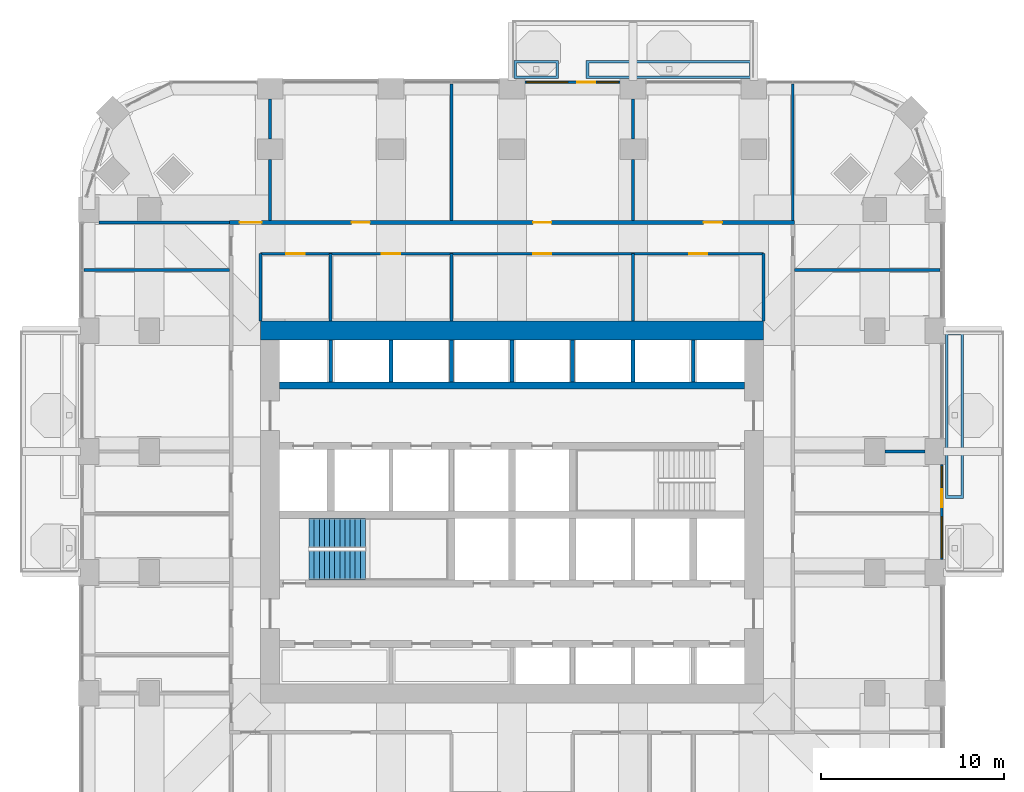
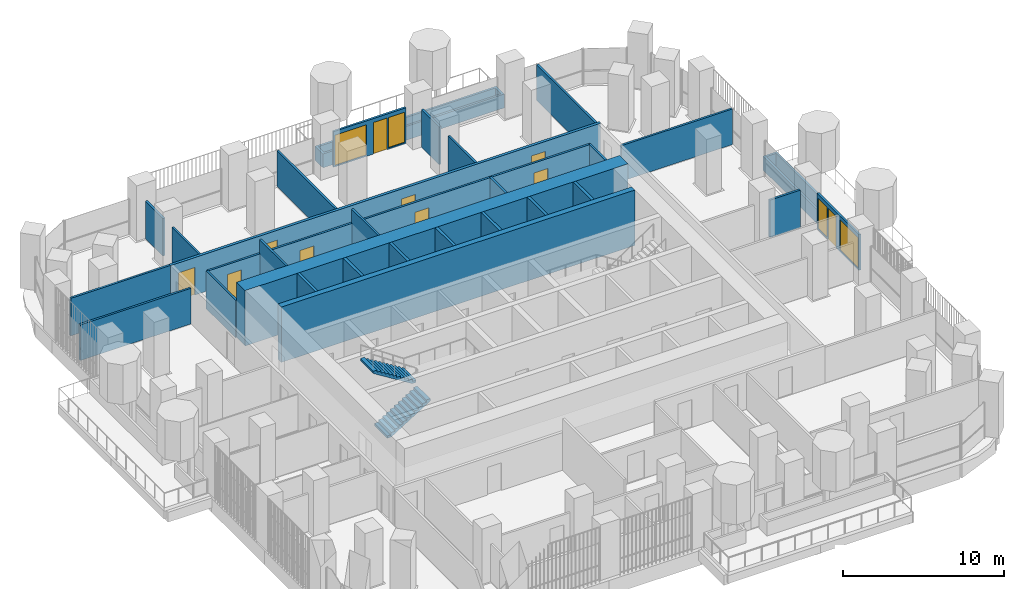
# One storey, part 17 of 23: 31 walls, 10 doors, 4 windows, 2 stair flights, 14 openings, 1 element without a shape of its own.
"""IFC4 building model written with IfcOpenShell, lengths in metres."""

from ifc_helpers import new_model, si_unit, direction, frame, frame_2d, origin, place, context, subcontext, project, spatial, polyline, rectangle, outline, extrude, material, layer, layer_set, type_object, element, fill, aggregate, save


model = new_model("IFC4")

# Units and contexts
model_context = context("Model", 3, precision=1e-05, world=origin(), true_north=direction((0.0, 1.0)))
body_context = subcontext(model_context, "Body", "Model", "MODEL_VIEW")
ifc_project = project(units=[si_unit("LENGTHUNIT", "METRE"), si_unit("AREAUNIT", "SQUARE_METRE"), si_unit("VOLUMEUNIT", "CUBIC_METRE"), si_unit("PLANEANGLEUNIT", "RADIAN"), si_unit("MASSUNIT", "GRAM", prefix="KILO")], contexts=[model_context])

# Site, building, storey
site_placement = place(None, origin())
site = spatial("IfcSite", under=ifc_project, at=site_placement, CompositionType="ELEMENT")
building_placement = place(site_placement, origin())
building = spatial("IfcBuilding", under=site, at=building_placement, Name="Cobogo Forest Laboratory Tower", CompositionType="ELEMENT")
storey_placement = place(building_placement, frame((0.0, 0.0, 128.39990234375)))
storey = spatial("IfcBuildingStorey", under=building, at=storey_placement, Name="L29", CompositionType="ELEMENT", Elevation=128.39990234375)

# Walls
ifc_material_1 = material(Name="Concrete HA-50 (C50/60)", Category="concrete")
ifc_layer_1 = layer(ifc_material_1, 0.39990234375)
ifc_layer_set_1 = layer_set([ifc_layer_1], Name="CI400 core inner wall 400")
wall_type_1 = type_object("IfcWallType", Name="CI400 core inner wall 400", PredefinedType="SHEAR", material=ifc_layer_set_1)
wall_1_placement = place(storey_placement, frame((13.72509765625, 30.0, 0.0), z_axis=(0.0, 0.0, 1.0), x_axis=(1.0, 0.0, 0.0)))
element("IfcWall", 1, at=wall_1_placement, inside=storey, type_object=wall_type_1, Name="Core wall CI-30.0 L29", PredefinedType="SHEAR", context=body_context, shape_type="SweptSolid", body=[
    extrude(rectangle(XDim=25.349853515625, YDim=0.39990234375, at=frame_2d((12.6748046875, 0.0))), origin(), (0.0, 0.0, 1.0), 4.2001953125),
])
ifc_layer_2 = layer(ifc_material_1, 1.050048828125)
ifc_layer_set_2 = layer_set([ifc_layer_2], Name="CW1050 core outer wall 1050")
wall_type_2 = type_object("IfcWallType", Name="CW1050 core outer wall 1050", PredefinedType="SHEAR", material=ifc_layer_set_2)
wall_2_placement = place(storey_placement, frame((40.125, 33.0, 0.0), z_axis=(0.0, 0.0, 1.0), x_axis=(-1.0, 0.0, 0.0)))
element("IfcWall", 2, at=wall_2_placement, inside=storey, type_object=wall_type_2, Name="Core wall CO-N L29", PredefinedType="SHEAR", context=body_context, shape_type="SweptSolid", body=[
    extrude(rectangle(XDim=27.449951171875, YDim=1.050048828125, at=frame_2d((13.72509765625, 0.0))), origin(), (0.0, 0.0, 1.0), 4.2001953125),
])

# Wall, openings, door, windows
ifc_material_2 = material(Name="Aluminium framed glazed screen", Category="aluminium")
ifc_layer_3 = layer(ifc_material_2, 0.14990234375)
ifc_layer_set_3 = layer_set([ifc_layer_3], Name="GS1 glazed door screen 150")
wall_type_3 = type_object("IfcWallType", Name="GS1 glazed door screen 150", PredefinedType="SOLIDWALL", material=ifc_layer_set_3)
wall_3_placement = place(storey_placement, frame((49.85009765625, 20.5, 0.0), z_axis=(0.0, 0.0, 1.0), x_axis=(0.0, 1.0, 0.0)))
wall_3 = element("IfcWall", 3, at=wall_3_placement, inside=storey, type_object=wall_type_3, Name="Door screen BAL-E1 L29", PredefinedType="SOLIDWALL", context=body_context, shape_type="SweptSolid", body=[
    extrude(rectangle(XDim=5.199951171875, YDim=0.14990234375, at=frame_2d((2.60009765625, 0.0))), origin(), (0.0, 0.0, 1.0), 2.7001953125),
])
opening_1_placement = place(wall_3_placement, frame((2.85009765625, 0.0, 0.0)))
opening_1 = element("IfcOpeningElement", 4, at=opening_1_placement, cuts=wall_3, Name="Opening L29-D27", PredefinedType="OPENING", context=body_context, shape_type="SweptSolid", body=[
    extrude(rectangle(XDim=1.0, YDim=2.39990234375, at=frame_2d((0.5, 1.199951171875))), frame((0.0, 0.0849609375, 0.0), z_axis=(0.0, -1.0, 0.0), x_axis=(1.0, 0.0, 0.0)), (0.0, 0.0, 1.0), 0.169921875),
])
opening_2_placement = place(wall_3_placement, frame((0.10009765625, 0.0, 0.10009765625)))
opening_2 = element("IfcOpeningElement", 5, at=opening_2_placement, cuts=wall_3, Name="Opening L29-W04", PredefinedType="OPENING", context=body_context, shape_type="SweptSolid", body=[
    extrude(rectangle(XDim=2.25, YDim=2.300048828125, at=frame_2d((1.125, 1.14990234375))), frame((0.0, 0.0849609375, 0.0), z_axis=(0.0, -1.0, 0.0), x_axis=(1.0, 0.0, 0.0)), (0.0, 0.0, 1.0), 0.169921875),
])
opening_3_placement = place(wall_3_placement, frame((3.949951171875, 0.0, 0.10009765625)))
opening_3 = element("IfcOpeningElement", 6, at=opening_3_placement, cuts=wall_3, Name="Opening L29-W06", PredefinedType="OPENING", context=body_context, shape_type="SweptSolid", body=[
    extrude(rectangle(XDim=1.14990234375, YDim=2.300048828125, at=frame_2d((0.574951171875, 1.14990234375))), frame((0.0, 0.0849609375, 0.0), z_axis=(0.0, -1.0, 0.0), x_axis=(1.0, 0.0, 0.0)), (0.0, 0.0, 1.0), 0.169921875),
])
ifc_material_3 = material(Name="Aluminium glazed door", Category="aluminium")
door_type_1 = type_object("IfcDoorType", Name="DB1 balcony door 1000 glazed", OperationType="SINGLE_SWING_LEFT", PredefinedType="DOOR", material=ifc_material_3)
door_1_placement = place(opening_1_placement, origin())
door_1 = element("IfcDoor", 7, at=door_1_placement, inside=storey, type_object=door_type_1, Name="Door L29-BAL-E1", OperationType="SINGLE_SWING_RIGHT", OverallHeight=2.39990234375, OverallWidth=1.0, PredefinedType="DOOR", context=body_context, shape_type="SweptSolid", body=[
    extrude(rectangle(XDim=1.0, YDim=2.39990234375, at=frame_2d((0.5, 1.199951171875))), frame((0.0, 0.02490234375, 0.0), z_axis=(0.0, -1.0, 0.0), x_axis=(1.0, 0.0, 0.0)), (0.0, 0.0, 1.0), 0.050048828125),
])
fill(opening_1, door_1)
ifc_material_4 = material(Name="Aluminium framed glazing", Category="aluminium")
window_type_1 = type_object("IfcWindowType", Name="WG15 fixed glazed light 2250x2300", PartitioningType="SINGLE_PANEL", PredefinedType="WINDOW", material=ifc_material_4)
window_1_placement = place(opening_2_placement, origin())
window_1 = element("IfcWindow", 8, at=window_1_placement, inside=storey, type_object=window_type_1, Name="Window L29-BAL-E1-1", OverallHeight=2.300048828125, OverallWidth=2.25, PartitioningType="SINGLE_PANEL", PredefinedType="WINDOW", context=body_context, shape_type="SweptSolid", body=[
    extrude(rectangle(XDim=2.25, YDim=2.300048828125, at=frame_2d((1.125, 1.14990234375))), frame((0.0, 0.030029296875, 0.0), z_axis=(0.0, -1.0, 0.0), x_axis=(1.0, 0.0, 0.0)), (0.0, 0.0, 1.0), 0.06005859375),
])
fill(opening_2, window_1)
window_type_2 = type_object("IfcWindowType", Name="WG16 fixed glazed light 1150x2300", PartitioningType="SINGLE_PANEL", PredefinedType="WINDOW", material=ifc_material_4)
window_2_placement = place(opening_3_placement, origin())
window_2 = element("IfcWindow", 9, at=window_2_placement, inside=storey, type_object=window_type_2, Name="Window L29-BAL-E1-2", OverallHeight=2.300048828125, OverallWidth=1.14990234375, PartitioningType="SINGLE_PANEL", PredefinedType="WINDOW", context=body_context, shape_type="SweptSolid", body=[
    extrude(rectangle(XDim=1.14990234375, YDim=2.300048828125, at=frame_2d((0.574951171875, 1.14990234375))), frame((0.0, 0.030029296875, 0.0), z_axis=(0.0, -1.0, 0.0), x_axis=(1.0, 0.0, 0.0)), (0.0, 0.0, 1.0), 0.06005859375),
])
fill(opening_3, window_2)

wall_4_placement = place(storey_placement, frame((32.300048828125, 46.550048828125, 0.0), z_axis=(0.0, 0.0, 1.0), x_axis=(-1.0, 0.0, 0.0)))
wall_4 = element("IfcWall", 10, at=wall_4_placement, inside=storey, type_object=wall_type_3, Name="Door screen BAL-N1 L29", PredefinedType="SOLIDWALL", context=body_context, shape_type="SweptSolid", body=[
    extrude(rectangle(XDim=5.199951171875, YDim=0.14990234375, at=frame_2d((2.60009765625, 0.0))), origin(), (0.0, 0.0, 1.0), 2.7001953125),
])
opening_4_placement = place(wall_4_placement, frame((1.35009765625, 0.0, 0.0)))
opening_4 = element("IfcOpeningElement", 11, at=opening_4_placement, cuts=wall_4, Name="Opening L29-D45", PredefinedType="OPENING", context=body_context, shape_type="SweptSolid", body=[
    extrude(rectangle(XDim=1.0, YDim=2.39990234375, at=frame_2d((0.5, 1.199951171875))), frame((0.0, 0.0849609375, 0.0), z_axis=(0.0, -1.0, 0.0), x_axis=(1.0, 0.0, 0.0)), (0.0, 0.0, 1.0), 0.169921875),
])
opening_5_placement = place(wall_4_placement, frame((0.10009765625, 0.0, 0.10009765625)))
opening_5 = element("IfcOpeningElement", 12, at=opening_5_placement, cuts=wall_4, Name="Opening L29-W08", PredefinedType="OPENING", context=body_context, shape_type="SweptSolid", body=[
    extrude(rectangle(XDim=1.14990234375, YDim=2.300048828125, at=frame_2d((0.574951171875, 1.14990234375))), frame((0.0, 0.0849609375, 0.0), z_axis=(0.0, -1.0, 0.0), x_axis=(1.0, 0.0, 0.0)), (0.0, 0.0, 1.0), 0.169921875),
])
opening_6_placement = place(wall_4_placement, frame((2.85009765625, 0.0, 0.10009765625)))
opening_6 = element("IfcOpeningElement", 13, at=opening_6_placement, cuts=wall_4, Name="Opening L29-W07", PredefinedType="OPENING", context=body_context, shape_type="SweptSolid", body=[
    extrude(rectangle(XDim=2.25, YDim=2.300048828125, at=frame_2d((1.125, 1.14990234375))), frame((0.0, 0.0849609375, 0.0), z_axis=(0.0, -1.0, 0.0), x_axis=(1.0, 0.0, 0.0)), (0.0, 0.0, 1.0), 0.169921875),
])
door_2_placement = place(opening_4_placement, origin())
door_2 = element("IfcDoor", 14, at=door_2_placement, inside=storey, type_object=door_type_1, Name="Door L29-BAL-N1", OperationType="SINGLE_SWING_LEFT", OverallHeight=2.39990234375, OverallWidth=1.0, PredefinedType="DOOR", context=body_context, shape_type="SweptSolid", body=[
    extrude(rectangle(XDim=1.0, YDim=2.39990234375, at=frame_2d((0.5, 1.199951171875))), frame((0.0, 0.02490234375, 0.0), z_axis=(0.0, -1.0, 0.0), x_axis=(1.0, 0.0, 0.0)), (0.0, 0.0, 1.0), 0.050048828125),
])
fill(opening_4, door_2)
window_3_placement = place(opening_6_placement, origin())
window_3 = element("IfcWindow", 15, at=window_3_placement, inside=storey, type_object=window_type_1, Name="Window L29-BAL-N1-2", OverallHeight=2.300048828125, OverallWidth=2.25, PartitioningType="SINGLE_PANEL", PredefinedType="WINDOW", context=body_context, shape_type="SweptSolid", body=[
    extrude(rectangle(XDim=2.25, YDim=2.300048828125, at=frame_2d((1.125, 1.14990234375))), frame((0.0, 0.030029296875, 0.0), z_axis=(0.0, -1.0, 0.0), x_axis=(1.0, 0.0, 0.0)), (0.0, 0.0, 1.0), 0.06005859375),
])
fill(opening_6, window_3)
window_4_placement = place(opening_5_placement, origin())
window_4 = element("IfcWindow", 16, at=window_4_placement, inside=storey, type_object=window_type_2, Name="Window L29-BAL-N1-1", OverallHeight=2.300048828125, OverallWidth=1.14990234375, PartitioningType="SINGLE_PANEL", PredefinedType="WINDOW", context=body_context, shape_type="SweptSolid", body=[
    extrude(rectangle(XDim=1.14990234375, YDim=2.300048828125, at=frame_2d((0.574951171875, 1.14990234375))), frame((0.0, 0.030029296875, 0.0), z_axis=(0.0, -1.0, 0.0), x_axis=(1.0, 0.0, 0.0)), (0.0, 0.0, 1.0), 0.06005859375),
])
fill(opening_5, window_4)

# Wall, openings, doors
ifc_material_5 = material(Name="Gypsum board on steel studs", Category="steel")
ifc_layer_4 = layer(ifc_material_5, 0.14990234375)
ifc_layer_set_4 = layer_set([ifc_layer_4], Name="PT1 laboratory partition 150")
wall_type_4 = type_object("IfcWallType", Name="PT1 laboratory partition 150", PredefinedType="PARTITIONING", material=ifc_layer_set_4)
wall_5_placement = place(storey_placement, frame((12.675048828125, 37.199951171875, 0.0), z_axis=(0.0, 0.0, 1.0), x_axis=(1.0, 0.0, 0.0)))
wall_5 = element("IfcWall", 17, at=wall_5_placement, inside=storey, type_object=wall_type_4, Name="Partition CSTRIP-N L29", PredefinedType="PARTITIONING", context=body_context, shape_type="SweptSolid", body=[
    extrude(rectangle(XDim=27.449951171875, YDim=0.14990234375, at=frame_2d((13.72509765625, 0.0))), origin(), (0.0, 0.0, 1.0), 2.85009765625),
])
opening_7_placement = place(wall_5_placement, frame((1.41259765625, 0.0, 0.0)))
opening_7 = element("IfcOpeningElement", 18, at=opening_7_placement, cuts=wall_5, Name="Opening L29-D35", PredefinedType="OPENING", context=body_context, shape_type="SweptSolid", body=[
    extrude(rectangle(XDim=1.0, YDim=2.10009765625, at=frame_2d((0.5, 1.050048828125))), frame((0.0, 0.0849609375, 0.0), z_axis=(0.0, -1.0, 0.0), x_axis=(1.0, 0.0, 0.0)), (0.0, 0.0, 1.0), 0.169921875),
])
opening_8_placement = place(wall_5_placement, frame((6.625, 0.0, 0.0)))
opening_8 = element("IfcOpeningElement", 19, at=opening_8_placement, cuts=wall_5, Name="Opening L29-D36", PredefinedType="OPENING", context=body_context, shape_type="SweptSolid", body=[
    extrude(rectangle(XDim=1.0, YDim=2.10009765625, at=frame_2d((0.5, 1.050048828125))), frame((0.0, 0.0849609375, 0.0), z_axis=(0.0, -1.0, 0.0), x_axis=(1.0, 0.0, 0.0)), (0.0, 0.0, 1.0), 0.169921875),
])
opening_9_placement = place(wall_5_placement, frame((14.875, 0.0, 0.0)))
opening_9 = element("IfcOpeningElement", 20, at=opening_9_placement, cuts=wall_5, Name="Opening L29-D37", PredefinedType="OPENING", context=body_context, shape_type="SweptSolid", body=[
    extrude(rectangle(XDim=1.0, YDim=2.10009765625, at=frame_2d((0.5, 1.050048828125))), frame((0.0, 0.0849609375, 0.0), z_axis=(0.0, -1.0, 0.0), x_axis=(1.0, 0.0, 0.0)), (0.0, 0.0, 1.0), 0.169921875),
])
opening_10_placement = place(wall_5_placement, frame((23.387451171875, 0.0, 0.0)))
opening_10 = element("IfcOpeningElement", 21, at=opening_10_placement, cuts=wall_5, Name="Opening L29-D38", PredefinedType="OPENING", context=body_context, shape_type="SweptSolid", body=[
    extrude(rectangle(XDim=1.0, YDim=2.10009765625, at=frame_2d((0.5, 1.050048828125))), frame((0.0, 0.0849609375, 0.0), z_axis=(0.0, -1.0, 0.0), x_axis=(1.0, 0.0, 0.0)), (0.0, 0.0, 1.0), 0.169921875),
])
ifc_material_6 = material(Name="Timber fire door", Category="wood")
door_type_2 = type_object("IfcDoorType", Name="FD2 fire door 1000 EI2 30", OperationType="SINGLE_SWING_LEFT", PredefinedType="DOOR", material=ifc_material_6)
door_3_placement = place(opening_7_placement, origin())
door_3 = element("IfcDoor", 22, at=door_3_placement, inside=storey, type_object=door_type_2, Name="Door L29-CSN1", OperationType="SINGLE_SWING_LEFT", OverallHeight=2.10009765625, OverallWidth=1.0, PredefinedType="DOOR", context=body_context, shape_type="SweptSolid", body=[
    extrude(rectangle(XDim=1.0, YDim=2.10009765625, at=frame_2d((0.5, 1.050048828125))), frame((0.0, 0.02490234375, 0.0), z_axis=(0.0, -1.0, 0.0), x_axis=(1.0, 0.0, 0.0)), (0.0, 0.0, 1.0), 0.050048828125),
])
fill(opening_7, door_3)
door_4_placement = place(opening_8_placement, origin())
door_4 = element("IfcDoor", 23, at=door_4_placement, inside=storey, type_object=door_type_2, Name="Door L29-CSN2", OperationType="SINGLE_SWING_LEFT", OverallHeight=2.10009765625, OverallWidth=1.0, PredefinedType="DOOR", context=body_context, shape_type="SweptSolid", body=[
    extrude(rectangle(XDim=1.0, YDim=2.10009765625, at=frame_2d((0.5, 1.050048828125))), frame((0.0, 0.02490234375, 0.0), z_axis=(0.0, -1.0, 0.0), x_axis=(1.0, 0.0, 0.0)), (0.0, 0.0, 1.0), 0.050048828125),
])
fill(opening_8, door_4)
door_5_placement = place(opening_9_placement, origin())
door_5 = element("IfcDoor", 24, at=door_5_placement, inside=storey, type_object=door_type_2, Name="Door L29-CSN3", OperationType="SINGLE_SWING_RIGHT", OverallHeight=2.10009765625, OverallWidth=1.0, PredefinedType="DOOR", context=body_context, shape_type="SweptSolid", body=[
    extrude(rectangle(XDim=1.0, YDim=2.10009765625, at=frame_2d((0.5, 1.050048828125))), frame((0.0, 0.02490234375, 0.0), z_axis=(0.0, -1.0, 0.0), x_axis=(1.0, 0.0, 0.0)), (0.0, 0.0, 1.0), 0.050048828125),
])
fill(opening_9, door_5)
door_6_placement = place(opening_10_placement, origin())
door_6 = element("IfcDoor", 25, at=door_6_placement, inside=storey, type_object=door_type_2, Name="Door L29-CSN4", OperationType="SINGLE_SWING_RIGHT", OverallHeight=2.10009765625, OverallWidth=1.0, PredefinedType="DOOR", context=body_context, shape_type="SweptSolid", body=[
    extrude(rectangle(XDim=1.0, YDim=2.10009765625, at=frame_2d((0.5, 1.050048828125))), frame((0.0, 0.02490234375, 0.0), z_axis=(0.0, -1.0, 0.0), x_axis=(1.0, 0.0, 0.0)), (0.0, 0.0, 1.0), 0.050048828125),
])
fill(opening_10, door_6)

# Walls
for number, where, z_axis, x_axis, name in (
    (26, (12.675048828125, 33.52490234375, 0.0), (0.0, 0.0, 1.0), (0.0, 1.0, 0.0), "Partition CSTRIP-NW L29"),
    (27, (40.125, 33.52490234375, 0.0), (0.0, 0.0, 1.0), (0.0, 1.0, 0.0), "Partition CSTRIP-NE L29"),
):
    element("IfcWall", number, at=place(storey_placement, frame(where, z_axis=z_axis, x_axis=x_axis)), inside=storey, type_object=wall_type_4, Name=name, PredefinedType="PARTITIONING", context=body_context, shape_type="SweptSolid", body=[
        extrude(rectangle(XDim=3.675048828125, YDim=0.14990234375, at=frame_2d((1.83740234375, 0.0))), origin(), (0.0, 0.0, 1.0), 2.85009765625),
    ])
for number, where, z_axis, x_axis, name in (
    (28, (16.5, 33.52490234375, 0.0), (0.0, 0.0, 1.0), (0.0, 1.0, 0.0), "Partition CSTRIP-N16.5 L29"),
    (29, (23.10009765625, 33.52490234375, 0.0), (0.0, 0.0, 1.0), (0.0, 1.0, 0.0), "Partition CSTRIP-N23.1 L29"),
):
    element("IfcWall", number, at=place(storey_placement, frame(where, z_axis=z_axis, x_axis=x_axis)), inside=storey, type_object=wall_type_4, Name=name, PredefinedType="PARTITIONING", context=body_context, shape_type="SweptSolid", body=[
        extrude(rectangle(XDim=3.675048828125, YDim=0.14990234375, at=frame_2d((1.83740234375, 0.0))), origin(), (0.0, 0.0, 1.0), 3.900146484375),
    ])
wall_6_placement = place(storey_placement, frame((33.0, 33.52490234375, 0.0), z_axis=(0.0, 0.0, 1.0), x_axis=(0.0, 1.0, 0.0)))
element("IfcWall", 30, at=wall_6_placement, inside=storey, type_object=wall_type_4, Name="Partition CSTRIP-N33 L29", PredefinedType="PARTITIONING", context=body_context, shape_type="SweptSolid", body=[
    extrude(rectangle(XDim=3.675048828125, YDim=0.14990234375, at=frame_2d((1.83740234375, 0.0))), origin(), (0.0, 0.0, 1.0), 2.85009765625),
])
wall_7_placement = place(storey_placement, frame((41.72509765625, 46.469970703125, 0.0), z_axis=(0.0, 0.0, 1.0), x_axis=(0.0, -1.0, 0.0)))
element("IfcWall", 31, at=wall_7_placement, inside=storey, type_object=wall_type_4, Name="Partition PW-NE L29", PredefinedType="PARTITIONING", context=body_context, shape_type="SweptSolid", body=[
    extrude(rectangle(XDim=7.469970703125, YDim=0.14990234375, at=frame_2d((3.73486328125, 0.0))), origin(), (0.0, 0.0, 1.0), 2.7001953125),
])
wall_8_placement = place(storey_placement, frame((3.85009765625, 38.89990234375, 0.0), z_axis=(0.0, 0.0, 1.0), x_axis=(1.0, 0.0, 0.0)))
element("IfcWall", 32, at=wall_8_placement, inside=storey, type_object=wall_type_4, Name="Partition PW-NW L29", PredefinedType="PARTITIONING", context=body_context, shape_type="SweptSolid", body=[
    extrude(rectangle(XDim=7.125, YDim=0.14990234375, at=frame_2d((3.5625, 0.0))), origin(), (0.0, 0.0, 1.0), 2.85009765625),
])
wall_9_placement = place(storey_placement, frame((48.949951171875, 26.39990234375, 0.0), z_axis=(0.0, 0.0, 1.0), x_axis=(-1.0, 0.0, 0.0)))
element("IfcWall", 33, at=wall_9_placement, inside=storey, type_object=wall_type_4, Name="Partition CUT-E26.4-1 L29", PredefinedType="PARTITIONING", context=body_context, shape_type="SweptSolid", body=[
    extrude(rectangle(XDim=2.199951171875, YDim=0.14990234375, at=frame_2d((1.10009765625, 0.0))), origin(), (0.0, 0.0, 1.0), 2.85009765625),
])
wall_10_placement = place(storey_placement, frame((49.77001953125, 36.300048828125, 0.0), z_axis=(0.0, 0.0, 1.0), x_axis=(-1.0, 0.0, 0.0)))
element("IfcWall", 34, at=wall_10_placement, inside=storey, type_object=wall_type_4, Name="Partition CUT-E36.3-1 L29", PredefinedType="PARTITIONING", context=body_context, shape_type="SweptSolid", body=[
    extrude(rectangle(XDim=7.945068359375, YDim=0.14990234375, at=frame_2d((3.97265625, 0.0))), origin(), (0.0, 0.0, 1.0), 2.7001953125),
])
wall_11_placement = place(storey_placement, frame((13.199951171875, 45.64990234375, 0.0), z_axis=(0.0, 0.0, 1.0), x_axis=(0.0, -1.0, 0.0)))
element("IfcWall", 35, at=wall_11_placement, inside=storey, type_object=wall_type_4, Name="Partition CUT-N13.2-1 L29", PredefinedType="PARTITIONING", context=body_context, shape_type="SweptSolid", body=[
    extrude(rectangle(XDim=2.199951171875, YDim=0.14990234375, at=frame_2d((1.10009765625, 0.0))), origin(), (0.0, 0.0, 1.0), 2.85009765625),
])
wall_12_placement = place(storey_placement, frame((13.199951171875, 42.35009765625, 0.0), z_axis=(0.0, 0.0, 1.0), x_axis=(0.0, -1.0, 0.0)))
element("IfcWall", 36, at=wall_12_placement, inside=storey, type_object=wall_type_4, Name="Partition CUT-N13.2-2 L29", PredefinedType="PARTITIONING", context=body_context, shape_type="SweptSolid", body=[
    extrude(rectangle(XDim=3.35009765625, YDim=0.14990234375, at=frame_2d((1.675048828125, 0.0))), origin(), (0.0, 0.0, 1.0), 2.85009765625),
])
wall_13_placement = place(storey_placement, frame((23.10009765625, 46.469970703125, 0.0), z_axis=(0.0, 0.0, 1.0), x_axis=(0.0, -1.0, 0.0)))
element("IfcWall", 37, at=wall_13_placement, inside=storey, type_object=wall_type_4, Name="Partition CUT-N23.1-1 L29", PredefinedType="PARTITIONING", context=body_context, shape_type="SweptSolid", body=[
    extrude(rectangle(XDim=7.469970703125, YDim=0.14990234375, at=frame_2d((3.73486328125, 0.0))), origin(), (0.0, 0.0, 1.0), 2.7001953125),
])
wall_14_placement = place(storey_placement, frame((33.0, 45.64990234375, 0.0), z_axis=(0.0, 0.0, 1.0), x_axis=(0.0, -1.0, 0.0)))
element("IfcWall", 38, at=wall_14_placement, inside=storey, type_object=wall_type_4, Name="Partition CUT-N33-1 L29", PredefinedType="PARTITIONING", context=body_context, shape_type="SweptSolid", body=[
    extrude(rectangle(XDim=2.199951171875, YDim=0.14990234375, at=frame_2d((1.10009765625, 0.0))), origin(), (0.0, 0.0, 1.0), 2.85009765625),
])
wall_15_placement = place(storey_placement, frame((33.0, 42.35009765625, 0.0), z_axis=(0.0, 0.0, 1.0), x_axis=(0.0, -1.0, 0.0)))
element("IfcWall", 39, at=wall_15_placement, inside=storey, type_object=wall_type_4, Name="Partition CUT-N33-2 L29", PredefinedType="PARTITIONING", context=body_context, shape_type="SweptSolid", body=[
    extrude(rectangle(XDim=3.35009765625, YDim=0.14990234375, at=frame_2d((1.675048828125, 0.0))), origin(), (0.0, 0.0, 1.0), 2.85009765625),
])
wall_16_placement = place(storey_placement, frame((3.030029296875, 36.300048828125, 0.0), z_axis=(0.0, 0.0, 1.0), x_axis=(1.0, 0.0, 0.0)))
element("IfcWall", 40, at=wall_16_placement, inside=storey, type_object=wall_type_4, Name="Partition CUT-W36.3-1 L29", PredefinedType="PARTITIONING", context=body_context, shape_type="SweptSolid", body=[
    extrude(rectangle(XDim=7.945068359375, YDim=0.14990234375, at=frame_2d((3.97265625, 0.0))), origin(), (0.0, 0.0, 1.0), 2.7001953125),
])

# Wall, openings, doors
ifc_layer_5 = layer(ifc_material_5, 0.199951171875)
ifc_layer_set_5 = layer_set([ifc_layer_5], Name="PT2 fire-rated corridor partition 200")
wall_type_5 = type_object("IfcWallType", Name="PT2 fire-rated corridor partition 200", PredefinedType="PARTITIONING", material=ifc_layer_set_5)
wall_17_placement = place(storey_placement, frame((10.97509765625, 38.89990234375, 0.0), z_axis=(0.0, 0.0, 1.0), x_axis=(1.0, 0.0, 0.0)))
wall_17 = element("IfcWall", 41, at=wall_17_placement, inside=storey, type_object=wall_type_5, Name="Partition CORR-N L29", PredefinedType="PARTITIONING", context=body_context, shape_type="SweptSolid", body=[
    extrude(rectangle(XDim=30.849853515625, YDim=0.199951171875, at=frame_2d((15.4248046875, 0.0))), origin(), (0.0, 0.0, 1.0), 2.85009765625),
])
opening_11_placement = place(wall_17_placement, frame((0.5625, 0.0, 0.0)))
opening_11 = element("IfcOpeningElement", 42, at=opening_11_placement, cuts=wall_17, Name="Opening L29-D41", PredefinedType="OPENING", context=body_context, shape_type="SweptSolid", body=[
    extrude(rectangle(XDim=1.199951171875, YDim=2.10009765625, at=frame_2d((0.60009765625, 1.050048828125))), frame((0.0, 0.10986328125, 0.0), z_axis=(0.0, -1.0, 0.0), x_axis=(1.0, 0.0, 0.0)), (0.0, 0.0, 1.0), 0.219970703125),
])
opening_12_placement = place(wall_17_placement, frame((6.675048828125, 0.0, 0.0)))
opening_12 = element("IfcOpeningElement", 43, at=opening_12_placement, cuts=wall_17, Name="Opening L29-D42", PredefinedType="OPENING", context=body_context, shape_type="SweptSolid", body=[
    extrude(rectangle(XDim=1.0, YDim=2.10009765625, at=frame_2d((0.5, 1.050048828125))), frame((0.0, 0.10986328125, 0.0), z_axis=(0.0, -1.0, 0.0), x_axis=(1.0, 0.0, 0.0)), (0.0, 0.0, 1.0), 0.219970703125),
])
opening_13_placement = place(wall_17_placement, frame((16.574951171875, 0.0, 0.0)))
opening_13 = element("IfcOpeningElement", 44, at=opening_13_placement, cuts=wall_17, Name="Opening L29-D43", PredefinedType="OPENING", context=body_context, shape_type="SweptSolid", body=[
    extrude(rectangle(XDim=1.0, YDim=2.10009765625, at=frame_2d((0.5, 1.050048828125))), frame((0.0, 0.10986328125, 0.0), z_axis=(0.0, -1.0, 0.0), x_axis=(1.0, 0.0, 0.0)), (0.0, 0.0, 1.0), 0.219970703125),
])
opening_14_placement = place(wall_17_placement, frame((25.887451171875, 0.0, 0.0)))
opening_14 = element("IfcOpeningElement", 45, at=opening_14_placement, cuts=wall_17, Name="Opening L29-D44", PredefinedType="OPENING", context=body_context, shape_type="SweptSolid", body=[
    extrude(rectangle(XDim=1.0, YDim=2.10009765625, at=frame_2d((0.5, 1.050048828125))), frame((0.0, 0.10986328125, 0.0), z_axis=(0.0, -1.0, 0.0), x_axis=(1.0, 0.0, 0.0)), (0.0, 0.0, 1.0), 0.219970703125),
])
ifc_material_7 = material(Name="Timber door", Category="wood")
door_type_3 = type_object("IfcDoorType", Name="D2 laboratory door 1200 unequal pair", OperationType="DOUBLE_DOOR_SINGLE_SWING", PredefinedType="DOOR", material=ifc_material_7)
door_7_placement = place(opening_11_placement, origin())
door_7 = element("IfcDoor", 46, at=door_7_placement, inside=storey, type_object=door_type_3, Name="Door L29-N1", OperationType="DOUBLE_DOOR_SINGLE_SWING", OverallHeight=2.10009765625, OverallWidth=1.199951171875, PredefinedType="DOOR", context=body_context, shape_type="SweptSolid", body=[
    extrude(rectangle(XDim=1.199951171875, YDim=2.10009765625, at=frame_2d((0.60009765625, 1.050048828125))), frame((0.0, 0.02490234375, 0.0), z_axis=(0.0, -1.0, 0.0), x_axis=(1.0, 0.0, 0.0)), (0.0, 0.0, 1.0), 0.050048828125),
])
fill(opening_11, door_7)
door_8_placement = place(opening_12_placement, origin())
door_8 = element("IfcDoor", 47, at=door_8_placement, inside=storey, type_object=door_type_2, Name="Door L29-N2", OperationType="SINGLE_SWING_LEFT", OverallHeight=2.10009765625, OverallWidth=1.0, PredefinedType="DOOR", context=body_context, shape_type="SweptSolid", body=[
    extrude(rectangle(XDim=1.0, YDim=2.10009765625, at=frame_2d((0.5, 1.050048828125))), frame((0.0, 0.02490234375, 0.0), z_axis=(0.0, -1.0, 0.0), x_axis=(1.0, 0.0, 0.0)), (0.0, 0.0, 1.0), 0.050048828125),
])
fill(opening_12, door_8)
door_9_placement = place(opening_13_placement, origin())
door_9 = element("IfcDoor", 48, at=door_9_placement, inside=storey, type_object=door_type_2, Name="Door L29-N3", OperationType="SINGLE_SWING_RIGHT", OverallHeight=2.10009765625, OverallWidth=1.0, PredefinedType="DOOR", context=body_context, shape_type="SweptSolid", body=[
    extrude(rectangle(XDim=1.0, YDim=2.10009765625, at=frame_2d((0.5, 1.050048828125))), frame((0.0, 0.02490234375, 0.0), z_axis=(0.0, -1.0, 0.0), x_axis=(1.0, 0.0, 0.0)), (0.0, 0.0, 1.0), 0.050048828125),
])
fill(opening_13, door_9)
door_10_placement = place(opening_14_placement, origin())
door_10 = element("IfcDoor", 49, at=door_10_placement, inside=storey, type_object=door_type_2, Name="Door L29-N4", OperationType="SINGLE_SWING_RIGHT", OverallHeight=2.10009765625, OverallWidth=1.0, PredefinedType="DOOR", context=body_context, shape_type="SweptSolid", body=[
    extrude(rectangle(XDim=1.0, YDim=2.10009765625, at=frame_2d((0.5, 1.050048828125))), frame((0.0, 0.02490234375, 0.0), z_axis=(0.0, -1.0, 0.0), x_axis=(1.0, 0.0, 0.0)), (0.0, 0.0, 1.0), 0.050048828125),
])
fill(opening_14, door_10)

# Walls
ifc_material_8 = material(Name="Concrete HA-40 (C40/50)", Category="concrete")
ifc_layer_6 = layer(ifc_material_8, 0.14990234375)
ifc_layer_set_6 = layer_set([ifc_layer_6], Name="Planter box 1000x1050")
wall_type_6 = type_object("IfcWallType", Name="Planter box 1000x1050", PredefinedType="USERDEFINED", material=ifc_layer_set_6)
wall_18_placement = place(storey_placement, origin())
element("IfcWall", 50, at=wall_18_placement, inside=storey, type_object=wall_type_6, Name="Planter BAL-E1-2 L29", ObjectType="PLANTER", PredefinedType="USERDEFINED", context=body_context, shape_type="SweptSolid", body=[
    extrude(outline(polyline([(50.050048828125, 23.85009765625), (51.050048828125, 23.85009765625), (51.050048828125, 32.89990234375), (50.050048828125, 32.89990234375), (50.050048828125, 23.85009765625)]), holes=[polyline([(50.199951171875, 24.0), (50.89990234375, 24.0), (50.89990234375, 32.75), (50.199951171875, 32.75), (50.199951171875, 24.0)])]), origin(), (0.0, 0.0, 1.0), 1.050048828125),
])
wall_19_placement = place(storey_placement, origin())
element("IfcWall", 51, at=wall_19_placement, inside=storey, type_object=wall_type_6, Name="Planter BAL-N1-1 L29", ObjectType="PLANTER", PredefinedType="USERDEFINED", context=body_context, shape_type="SweptSolid", body=[
    extrude(outline(polyline([(26.5, 46.75), (28.949951171875, 46.75), (28.949951171875, 47.75), (26.5, 47.75), (26.5, 46.75)]), holes=[polyline([(26.64990234375, 46.89990234375), (28.800048828125, 46.89990234375), (28.800048828125, 47.60009765625), (26.64990234375, 47.60009765625), (26.64990234375, 46.89990234375)])]), origin(), (0.0, 0.0, 1.0), 1.050048828125),
])
wall_20_placement = place(storey_placement, origin())
element("IfcWall", 52, at=wall_20_placement, inside=storey, type_object=wall_type_6, Name="Planter BAL-N1-2 L29", ObjectType="PLANTER", PredefinedType="USERDEFINED", context=body_context, shape_type="SweptSolid", body=[
    extrude(outline(polyline([(30.449951171875, 46.75), (39.5, 46.75), (39.5, 47.75), (30.449951171875, 47.75), (30.449951171875, 46.75)]), holes=[polyline([(30.60009765625, 46.89990234375), (39.35009765625, 46.89990234375), (39.35009765625, 47.60009765625), (30.60009765625, 47.60009765625), (30.60009765625, 46.89990234375)])]), origin(), (0.0, 0.0, 1.0), 1.050048828125),
])
ifc_material_9 = material(Name="Concrete block", Category="concrete")
ifc_layer_7 = layer(ifc_material_9, 0.199951171875)
ifc_layer_set_7 = layer_set([ifc_layer_7], Name="SW200 lift shaft separator 200")
wall_type_7 = type_object("IfcWallType", Name="SW200 lift shaft separator 200", PredefinedType="PARTITIONING", material=ifc_layer_set_7)
for number, where, z_axis, x_axis, name in (
    (53, (16.5, 30.199951171875, 0.0), (0.0, 0.0, 1.0), (0.0, 1.0, 0.0), "Core wall SEP-N1 L29"),
    (54, (19.800048828125, 30.199951171875, 0.0), (0.0, 0.0, 1.0), (0.0, 1.0, 0.0), "Core wall SEP-N2 L29"),
    (55, (23.10009765625, 30.199951171875, 0.0), (0.0, 0.0, 1.0), (0.0, 1.0, 0.0), "Core wall SEP-N3 L29"),
    (56, (26.39990234375, 30.199951171875, 0.0), (0.0, 0.0, 1.0), (0.0, 1.0, 0.0), "Core wall SEP-N4 L29"),
    (57, (29.699951171875, 30.199951171875, 0.0), (0.0, 0.0, 1.0), (0.0, 1.0, 0.0), "Core wall SEP-N5 L29"),
    (58, (33.0, 30.199951171875, 0.0), (0.0, 0.0, 1.0), (0.0, 1.0, 0.0), "Core wall SEP-N6 L29"),
    (59, (36.300048828125, 30.199951171875, 0.0), (0.0, 0.0, 1.0), (0.0, 1.0, 0.0), "Core wall SEP-N7 L29"),
):
    element("IfcWall", number, at=place(storey_placement, frame(where, z_axis=z_axis, x_axis=x_axis)), inside=storey, type_object=wall_type_7, Name=name, PredefinedType="PARTITIONING", context=body_context, shape_type="SweptSolid", body=[
        extrude(rectangle(XDim=2.275146484375, YDim=0.199951171875, at=frame_2d((1.1376953125, 0.0))), origin(), (0.0, 0.0, 1.0), 4.2001953125),
    ])

# Stair, stair flights
ifc_material_10 = material(Name="Precast concrete HA-40 (C40/50)", Category="concrete")
stair_type = type_object("IfcStairType", Name="ST24 exit stair 24 risers", PredefinedType="HALF_TURN_STAIR", material=ifc_material_10)
stair_placement = place(storey_placement, origin())
stair = element("IfcStair", 60, at=stair_placement, inside=storey, type_object=stair_type, Name="Stair 1 L29 to L30", PredefinedType="HALF_TURN_STAIR")
stair_flight_type = type_object("IfcStairFlightType", Name="ST stair flight 280 going", PredefinedType="STRAIGHT", material=ifc_material_10)
stair_flight_1_placement = place(storey_placement, frame((15.324951171875, 20.199951171875, 0.0), z_axis=(0.0, 0.0, 1.0), x_axis=(1.0, 0.0, 0.0)))
stair_flight_1 = element("IfcStairFlight", 61, at=stair_flight_1_placement, type_object=stair_flight_type, Name="ST1 flight 1", NumberOfRisers=12, NumberOfTreads=11, PredefinedType="STRAIGHT", RiserHeight=0.175, TreadLength=0.28, context=body_context, shape_type="SweptSolid", body=[
    extrude(outline(polyline([(0.0, 0.0), (0.0, 0.175048828125), (0.280029296875, 0.175048828125), (0.280029296875, 0.35009765625), (0.56005859375, 0.35009765625), (0.56005859375, 0.52490234375), (0.840087890625, 0.52490234375), (0.840087890625, 0.699951171875), (1.1201171875, 0.699951171875), (1.1201171875, 0.875), (1.39990234375, 0.875), (1.39990234375, 1.050048828125), (1.679931640625, 1.050048828125), (1.679931640625, 1.22509765625), (1.9599609375, 1.22509765625), (1.9599609375, 1.39990234375), (2.239990234375, 1.39990234375), (2.239990234375, 1.574951171875), (2.52001953125, 1.574951171875), (2.52001953125, 1.75), (2.800048828125, 1.75), (2.800048828125, 1.925048828125), (3.080078125, 1.925048828125), (3.080078125, 2.10009765625), (3.080078125, 1.748291015625), (0.28271484375, 0.0), (0.0, 0.0)])), frame((0.0, 0.800048828125, 0.0), z_axis=(0.0, -1.0, 0.0), x_axis=(1.0, 0.0, 0.0)), (0.0, 0.0, 1.0), 1.60009765625),
])
stair_flight_2_placement = place(storey_placement, frame((18.405029296875, 21.949951171875, 2.10009765625), z_axis=(0.0, 0.0, 1.0), x_axis=(-1.0, 0.0, 0.0)))
stair_flight_2 = element("IfcStairFlight", 62, at=stair_flight_2_placement, type_object=stair_flight_type, Name="ST1 flight 2", NumberOfRisers=12, NumberOfTreads=11, PredefinedType="STRAIGHT", RiserHeight=0.175, TreadLength=0.28, context=body_context, shape_type="SweptSolid", body=[
    extrude(outline(polyline([(0.0, 0.0), (0.0, 0.175048828125), (0.280029296875, 0.175048828125), (0.280029296875, 0.35009765625), (0.56005859375, 0.35009765625), (0.56005859375, 0.52490234375), (0.840087890625, 0.52490234375), (0.840087890625, 0.699951171875), (1.1201171875, 0.699951171875), (1.1201171875, 0.875), (1.39990234375, 0.875), (1.39990234375, 1.050048828125), (1.679931640625, 1.050048828125), (1.679931640625, 1.22509765625), (1.9599609375, 1.22509765625), (1.9599609375, 1.39990234375), (2.239990234375, 1.39990234375), (2.239990234375, 1.574951171875), (2.52001953125, 1.574951171875), (2.52001953125, 1.75), (2.800048828125, 1.75), (2.800048828125, 1.925048828125), (3.080078125, 1.925048828125), (3.080078125, 2.10009765625), (3.080078125, 1.748291015625), (0.28271484375, 0.0), (0.0, 0.0)])), frame((0.0, 0.800048828125, 0.0), z_axis=(0.0, -1.0, 0.0), x_axis=(1.0, 0.0, 0.0)), (0.0, 0.0, 1.0), 1.60009765625),
])
aggregate(stair, [stair_flight_1, stair_flight_2])

save(model, "model.ifc")
